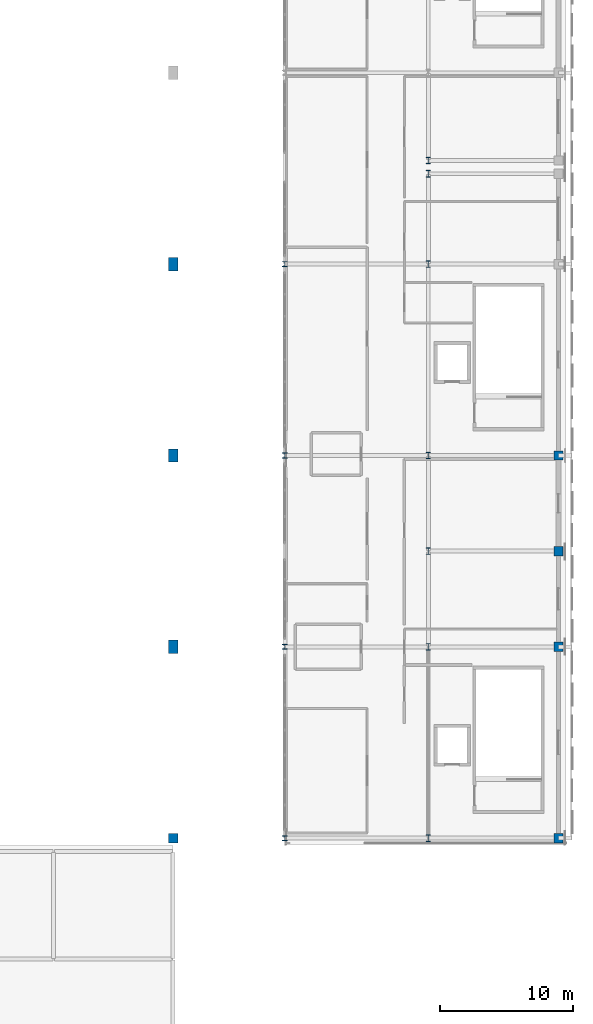
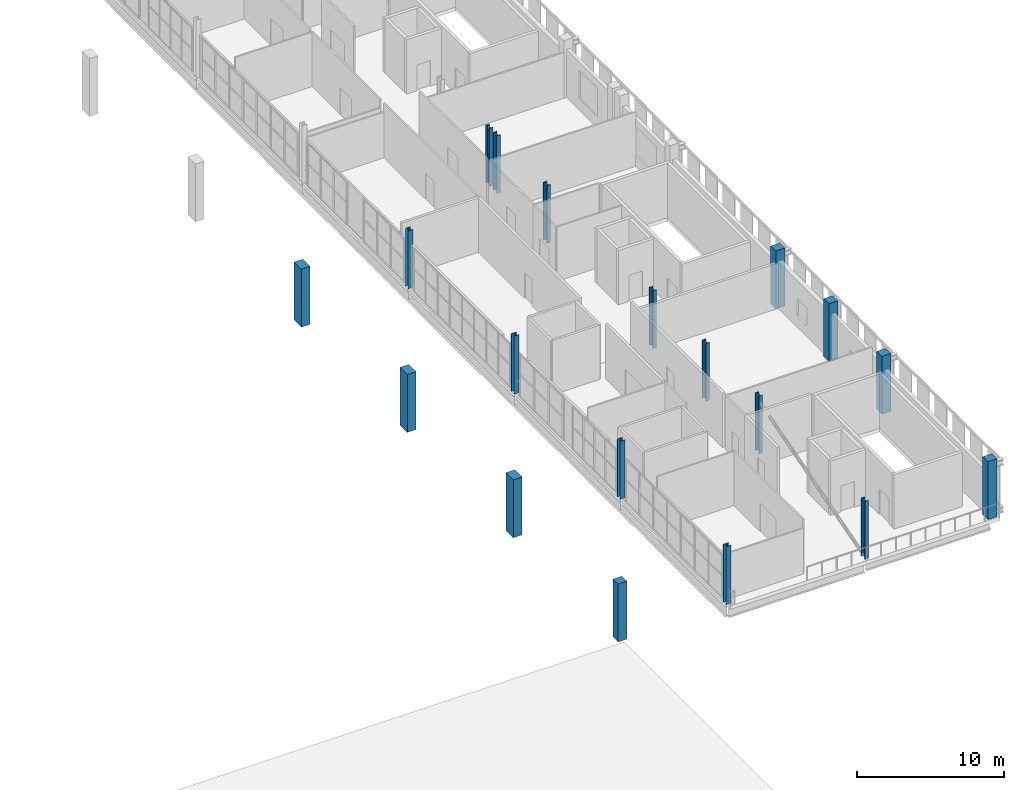
# One storey, part 4 of 51: 19 columns.
"""IFC4 building model written with IfcOpenShell, lengths in metres."""

import ifcopenshell
import ifcopenshell.guid

model = None  # the IFC model being written
_history = None  # IfcOwnerHistory: only IFC2X3 demands one
_inside = {}  # id of a spatial element -> (the spatial element, [elements in it])
_under = {}  # id of a project, library or spatial element -> (it, [spatial elements below it])
_declared = {}  # id of a project -> (the project, [libraries it declares])
_typed = {}  # id of a type object -> (the type object, [elements of that type])
_made_of = {}  # id of a material, layer set ... -> (it, [elements and type objects made of it])


def new_model(schema):
    """Start an empty IFC model of exactly this schema.

    Asked for "IFC4X3", IfcOpenShell would pick the latest addendum, in which some entities
    have other attributes; the version numbers below select the first issue.
    IFC2X3 requires an IfcOwnerHistory on every rooted entity: one is made here for all.
    """
    global model, _history
    if schema == "IFC4X3":
        model = ifcopenshell.file(schema_version=(4, 3, 0, 0))
    else:
        model = ifcopenshell.file(schema=schema)
    _inside.clear()
    _under.clear()
    _declared.clear()
    _typed.clear()
    _made_of.clear()
    _history = None
    if model.schema == "IFC2X3":
        org = make("IfcOrganization", Name="unknown")
        user = make(
            "IfcPersonAndOrganization",
            ThePerson=make("IfcPerson", FamilyName="unknown"),
            TheOrganization=org,
        )
        app = make(
            "IfcApplication",
            ApplicationDeveloper=org,
            Version="unknown",
            ApplicationFullName="unknown",
            ApplicationIdentifier="unknown",
        )
        _history = make(
            "IfcOwnerHistory",
            OwningUser=user,
            OwningApplication=app,
            ChangeAction="ADDED",
            CreationDate=0,
        )
    return model


def make(cls, **values):
    """One entity of the class cls with the attributes given. An attribute that is None is left unset."""
    return model.create_entity(
        cls, **{name: value for name, value in values.items() if value is not None}
    )


def rooted(cls, **values):
    """An entity with a GlobalId (a new one), such as an element, a storey or a relation."""
    return make(cls, GlobalId=ifcopenshell.guid.new(), OwnerHistory=_history, **values)


def si_unit(unit_type, name, prefix=None):
    """IfcSIUnit, for example si_unit("LENGTHUNIT", "METRE", prefix="MILLI")."""
    return make("IfcSIUnit", UnitType=unit_type, Prefix=prefix, Name=name)


def assignment(units):
    """IfcUnitAssignment: the units of a project."""
    return None if units is None else make("IfcUnitAssignment", Units=units)


def point(xyz):
    """IfcCartesianPoint."""
    return None if xyz is None else make("IfcCartesianPoint", Coordinates=xyz)


def direction(xyz):
    """IfcDirection."""
    return None if xyz is None else make("IfcDirection", DirectionRatios=xyz)


def frame(location, z_axis=None, x_axis=None):
    """IfcAxis2Placement3D, a coordinate frame: its origin and axes. An axis left out is left unset."""
    return make(
        "IfcAxis2Placement3D",
        Location=point(location),
        Axis=direction(z_axis),
        RefDirection=direction(x_axis),
    )


def frame_2d(location, x_axis=None):
    """IfcAxis2Placement2D, a coordinate frame in the plane: its origin and x axis."""
    return make(
        "IfcAxis2Placement2D", Location=point(location), RefDirection=direction(x_axis)
    )


def origin():
    """The frame at (0, 0, 0) with its axes left unset."""
    return frame((0.0, 0.0, 0.0))


def origin_2d():
    """The frame at (0, 0) in the plane with its x axis left unset."""
    return frame_2d((0.0, 0.0))


def place(relative_to, where):
    """IfcLocalPlacement: puts the frame where relative to a parent placement (None: the world)."""
    return make(
        "IfcLocalPlacement", PlacementRelTo=relative_to, RelativePlacement=where
    )


def context(
    kind, dimensions, precision=None, world=None, true_north=None, identifier=None
):
    """IfcGeometricRepresentationContext, for example the 3D "Model" context."""
    return make(
        "IfcGeometricRepresentationContext",
        ContextIdentifier=identifier,
        ContextType=kind,
        CoordinateSpaceDimension=dimensions,
        Precision=precision,
        WorldCoordinateSystem=world,
        TrueNorth=true_north,
    )


def subcontext(parent, identifier, kind, view, scale=None):
    """IfcGeometricRepresentationSubContext, for example "Body" below "Model"."""
    return make(
        "IfcGeometricRepresentationSubContext",
        ContextIdentifier=identifier,
        ContextType=kind,
        ParentContext=parent,
        TargetScale=scale,
        TargetView=view,
    )


def project(units=None, contexts=None):
    """IfcProject with its units and contexts."""
    return rooted(
        "IfcProject",
        Name="project",
        RepresentationContexts=contexts,
        UnitsInContext=assignment(units),
    )


def spatial(cls, under=None, at=None, **own):
    """A site, building, storey or space (cls), placed at a placement, below another one or the project."""
    s = rooted(cls, ObjectPlacement=at, **own)
    if under is not None:
        _under.setdefault(under.id(), (under, []))[1].append(s)
    return s


def profile(cls, at=None, kind="AREA", **sizes):
    """A parametric profile (cls). Its sizes go by their IFC names, for example OverallWidth=200.0."""
    return make(cls, ProfileType=kind, Position=at, **sizes)


def rectangle(**sizes):
    """IfcRectangleProfileDef."""
    return profile("IfcRectangleProfileDef", **sizes)


def i_section(**sizes):
    """IfcIShapeProfileDef."""
    return profile("IfcIShapeProfileDef", **sizes)


def extrude(swept, where, along, depth):
    """IfcExtrudedAreaSolid: the profile swept, set in the frame where, extruded along a direction by depth."""
    return make(
        "IfcExtrudedAreaSolid",
        SweptArea=swept,
        Position=where,
        ExtrudedDirection=direction(along),
        Depth=depth,
    )


def shape(context_of_items, identifier, shape_type, items):
    """IfcShapeRepresentation: the items that make up one representation, for example the "Body"."""
    return make(
        "IfcShapeRepresentation",
        ContextOfItems=context_of_items,
        RepresentationIdentifier=identifier,
        RepresentationType=shape_type,
        Items=items,
    )


def material(Name=None, Category=None):
    """IfcMaterial."""
    return make("IfcMaterial", Name=Name, Category=Category)


def material_profile(
    of_material, cross_section, Name=None, Category=None, Priority=None
):
    """IfcMaterialProfile: a cross section and its material."""
    return make(
        "IfcMaterialProfile",
        Name=Name,
        Material=of_material,
        Profile=cross_section,
        Priority=Priority,
        Category=Category,
    )


def profile_set(profiles, Name=None, composite=None):
    """IfcMaterialProfileSet."""
    return make(
        "IfcMaterialProfileSet",
        Name=Name,
        MaterialProfiles=profiles,
        CompositeProfile=composite,
    )


def made_of(thing, what):
    """Note that an element or type object is made of a material, layer set ...; save() writes the relation."""
    if what is not None:
        _made_of.setdefault(what.id(), (what, []))[1].append(thing)
    return thing


def type_object(cls, material=None, **own):
    """A type object (cls), such as IfcWallType, which elements share."""
    return made_of(rooted(cls, **own), material)


def element(
    cls,
    number,
    at=None,
    inside=None,
    cuts=None,
    type_object=None,
    material=None,
    context=None,
    identifier="Body",
    shape_type=None,
    held_by="IfcProductDefinitionShape",
    body=None,
    shapes=None,
    **own,
):
    """One element of the class cls, such as IfcWall. Its Tag is "e" and its number.

    at: its placement. inside: the storey or other place that contains it. cuts: it is an
    opening in that element (IfcRelVoidsElement). A single representation is given by context,
    identifier, shape_type and body (its items); several are given by shapes. held_by: the class
    of the entity that holds the representations. save() writes the other relations.
    """
    e = rooted(cls, Tag="e%d" % number, ObjectPlacement=at, **own)
    if body is not None:
        shapes = [shape(context, identifier, shape_type, body)]
    if shapes is not None:
        e.Representation = make(held_by, Representations=shapes)
    if inside is not None:
        _inside.setdefault(inside.id(), (inside, []))[1].append(e)
    if cuts is not None:
        rooted(
            "IfcRelVoidsElement", RelatingBuildingElement=cuts, RelatedOpeningElement=e
        )
    if type_object is not None:
        _typed.setdefault(type_object.id(), (type_object, []))[1].append(e)
    return made_of(e, material)


def aggregate(whole, parts):
    """IfcRelAggregates: a whole, such as a stair, and the parts it consists of."""
    return rooted("IfcRelAggregates", RelatingObject=whole, RelatedObjects=parts)


def save(model, path):
    """Write the relations noted so far, then the file.

    IfcRelAggregates (storeys below a building ...), IfcRelContainedInSpatialStructure (elements
    in a storey), IfcRelDefinesByType, IfcRelAssociatesMaterial and IfcRelDeclares: one each for
    every whole, place, type object, material and project.
    """
    for whole, parts in _under.values():
        aggregate(whole, parts)
    for where, things in _inside.values():
        rooted(
            "IfcRelContainedInSpatialStructure",
            RelatedElements=things,
            RelatingStructure=where,
        )
    for kind, things in _typed.values():
        rooted("IfcRelDefinesByType", RelatedObjects=things, RelatingType=kind)
    for what, things in _made_of.values():
        rooted("IfcRelAssociatesMaterial", RelatedObjects=things, RelatingMaterial=what)
    for by, libraries in _declared.values():
        rooted("IfcRelDeclares", RelatingContext=by, RelatedDefinitions=libraries)
    model.write(path)


model = new_model("IFC4")

# Units and contexts
model_context = context("Model", 3, precision=1e-05, world=origin(), true_north=direction((0.0, 1.0)))
body_context = subcontext(model_context, "Body", "Model", "MODEL_VIEW")
ifc_project = project(units=[si_unit("LENGTHUNIT", "METRE"), si_unit("AREAUNIT", "SQUARE_METRE"), si_unit("VOLUMEUNIT", "CUBIC_METRE"), si_unit("PLANEANGLEUNIT", "RADIAN"), si_unit("MASSUNIT", "GRAM", prefix="KILO")], contexts=[model_context])

# Site, building, storey
site_placement = place(None, origin())
site = spatial("IfcSite", under=ifc_project, at=site_placement, CompositionType="ELEMENT")
building_placement = place(site_placement, origin())
building = spatial("IfcBuilding", under=site, at=building_placement, Name="Koshinbarg Plaza Stadium", CompositionType="ELEMENT")
storey_placement = place(building_placement, frame((0.0, 0.0, 24.60009765625)))
storey = spatial("IfcBuildingStorey", under=building, at=storey_placement, Name="L05", CompositionType="ELEMENT", Elevation=24.60009765625)

# Columns
ifc_material_1 = material(Name="Concrete C40/50", Category="concrete")
ifc_material_profile_1 = material_profile(ifc_material_1, rectangle(XDim=0.699951171875, YDim=0.699951171875, at=origin_2d()), Name="RC 700x700")
ifc_profile_set_1 = profile_set([ifc_material_profile_1], Name="Concrete C40/50")
column_type_1 = type_object("IfcColumnType", Name="COL-RC-06", PredefinedType="COLUMN", material=ifc_profile_set_1)
for number, where, z_axis, x_axis, name in (
    (1, (189.39990234375, 25.5, 0.0), (0.0, 0.0, 1.0), (1.0, 0.0, 0.0), "L05 column 18/E"),
    (2, (218.39990234375, 25.5, 0.0), (0.0, 0.0, 1.0), (1.0, 0.0, 0.0), "L05 column 21/E"),
    (3, (218.39990234375, 39.89990234375, 0.0), (0.0, 0.0, 1.0), (1.0, 0.0, 0.0), "L05 column 21/F"),
    (4, (218.39990234375, 47.10009765625, 0.0), (0.0, 0.0, 1.0), (1.0, 0.0, 0.0), "L05 column 21/G"),
    (5, (218.39990234375, 54.300048828125, 0.0), (0.0, 0.0, 1.0), (1.0, 0.0, 0.0), "L05 column 21/H"),
):
    element("IfcColumn", number, at=place(storey_placement, frame(where, z_axis=z_axis, x_axis=x_axis)), inside=storey, type_object=column_type_1, Name=name, PredefinedType="COLUMN", context=body_context, shape_type="SweptSolid", body=[
        extrude(rectangle(XDim=0.699951171875, YDim=0.699951171875, at=origin_2d()), origin(), (0.0, 0.0, 1.0), 4.7998046875),
    ])
ifc_material_profile_2 = material_profile(ifc_material_1, rectangle(XDim=0.699951171875, YDim=1.0, at=origin_2d()), Name="RC 700x1000")
ifc_profile_set_2 = profile_set([ifc_material_profile_2], Name="Concrete C40/50")
column_type_2 = type_object("IfcColumnType", Name="COL-RC-13", PredefinedType="COLUMN", material=ifc_profile_set_2)
for number, where, z_axis, x_axis, name in (
    (6, (189.39990234375, 39.89990234375, 0.0), (0.0, 0.0, 1.0), (1.0, 0.0, 0.0), "L05 column 18/F"),
    (7, (189.39990234375, 54.300048828125, 0.0), (0.0, 0.0, 1.0), (1.0, 0.0, 0.0), "L05 column 18/H"),
    (8, (189.39990234375, 68.699951171875, 0.0), (0.0, 0.0, 1.0), (1.0, 0.0, 0.0), "L05 column 18/J"),
):
    element("IfcColumn", number, at=place(storey_placement, frame(where, z_axis=z_axis, x_axis=x_axis)), inside=storey, type_object=column_type_2, Name=name, PredefinedType="COLUMN", context=body_context, shape_type="SweptSolid", body=[
        extrude(rectangle(XDim=0.699951171875, YDim=1.0, at=origin_2d()), origin(), (0.0, 0.0, 1.0), 4.7998046875),
    ])
ifc_material_2 = material(Name="Steel S355", Category="steel")
ifc_material_profile_3 = material_profile(ifc_material_2, i_section(OverallWidth=0.39501953125, OverallDepth=0.3798828125, WebThickness=0.018798828125, FlangeThickness=0.0302734375, at=origin_2d()), Name="HD 400x237")
ifc_profile_set_3 = profile_set([ifc_material_profile_3], Name="Steel S355")
column_type_3 = type_object("IfcColumnType", Name="COL-STL-01", PredefinedType="COLUMN", material=ifc_profile_set_3)
for number, where, z_axis, x_axis, name in (
    (9, (197.800048828125, 25.5, 0.0), (0.0, 0.0, 1.0), (1.0, 0.0, 0.0), "L05 column 19/E"),
    (10, (197.800048828125, 39.89990234375, 0.0), (0.0, 0.0, 1.0), (1.0, 0.0, 0.0), "L05 column 19/F"),
    (11, (197.800048828125, 54.300048828125, 0.0), (0.0, 0.0, 1.0), (1.0, 0.0, 0.0), "L05 column 19/H"),
    (12, (197.800048828125, 68.699951171875, 0.0), (0.0, 0.0, 1.0), (1.0, 0.0, 0.0), "L05 column 19/J"),
):
    element("IfcColumn", number, at=place(storey_placement, frame(where, z_axis=z_axis, x_axis=x_axis)), inside=storey, type_object=column_type_3, Name=name, PredefinedType="COLUMN", context=body_context, shape_type="SweptSolid", body=[
        extrude(i_section(OverallWidth=0.39501953125, OverallDepth=0.3798828125, WebThickness=0.018798828125, FlangeThickness=0.0302734375, at=origin_2d()), origin(), (0.0, 0.0, 1.0), 4.7998046875),
    ])
ifc_material_profile_4 = material_profile(ifc_material_2, i_section(OverallWidth=0.300048828125, OverallDepth=0.5, WebThickness=0.014404296875, FlangeThickness=0.028076171875, at=origin_2d()), Name="HEB 500")
ifc_profile_set_4 = profile_set([ifc_material_profile_4], Name="Steel S355")
column_type_4 = type_object("IfcColumnType", Name="COL-STL-02", PredefinedType="COLUMN", material=ifc_profile_set_4)
for number, where, z_axis, x_axis, name in (
    (13, (208.60009765625, 25.5, 0.0), (0.0, 0.0, 1.0), (1.0, 0.0, 0.0), "L05 column 20/E"),
    (14, (208.60009765625, 39.89990234375, 0.0), (0.0, 0.0, 1.0), (1.0, 0.0, 0.0), "L05 column 20/F"),
    (15, (208.60009765625, 47.10009765625, 0.0), (0.0, 0.0, 1.0), (1.0, 0.0, 0.0), "L05 column 20/G"),
    (16, (208.60009765625, 54.300048828125, 0.0), (0.0, 0.0, 1.0), (1.0, 0.0, 0.0), "L05 column 20/H"),
    (17, (208.60009765625, 68.699951171875, 0.0), (0.0, 0.0, 1.0), (1.0, 0.0, 0.0), "L05 column 20/J"),
    (18, (208.60009765625, 75.5, 0.0), (0.0, 0.0, 1.0), (1.0, 0.0, 0.0), "L05 column 20/K"),
    (19, (208.60009765625, 76.5, 0.0), (0.0, 0.0, 1.0), (1.0, 0.0, 0.0), "L05 column 20/L"),
):
    element("IfcColumn", number, at=place(storey_placement, frame(where, z_axis=z_axis, x_axis=x_axis)), inside=storey, type_object=column_type_4, Name=name, PredefinedType="COLUMN", context=body_context, shape_type="SweptSolid", body=[
        extrude(i_section(OverallWidth=0.300048828125, OverallDepth=0.5, WebThickness=0.014404296875, FlangeThickness=0.028076171875, at=origin_2d()), origin(), (0.0, 0.0, 1.0), 4.7998046875),
    ])

save(model, "model.ifc")
